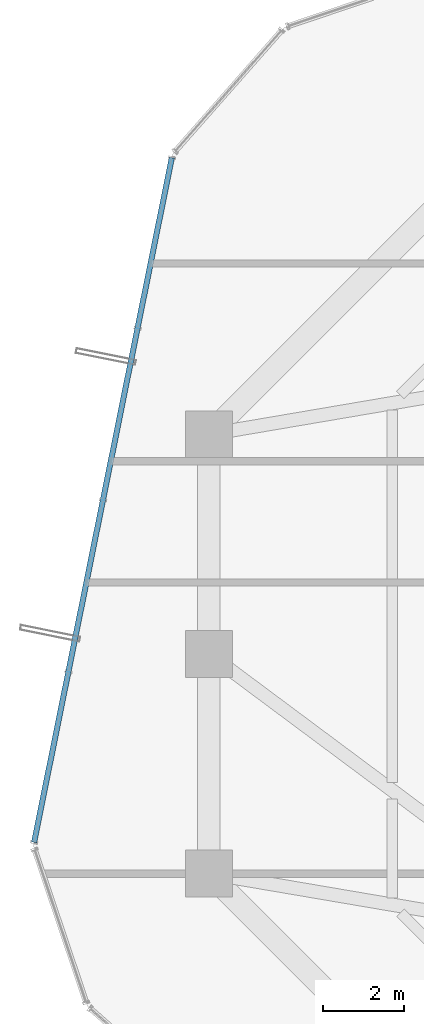
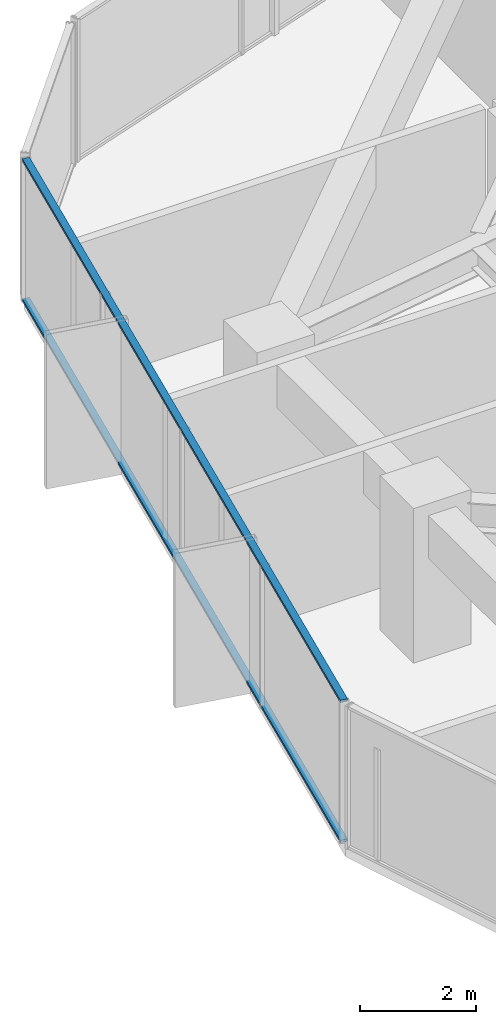
# One storey, part 14 of 32: 2 members, 1 element without a shape of its own.
"""IFC4 building model written with IfcOpenShell, lengths in metres."""

from ifc_helpers import new_model, si_unit, direction, frame, origin, origin_2d, place, context, subcontext, project, spatial, hollow_rectangle, extrude, source, transform, mapped, material, layer, layer_set, material_profile, profile_set, type_object, element, aggregate, save


model = new_model("IFC4")

# Units and contexts
model_context = context("Model", 3, precision=1e-05, world=origin(), true_north=direction((0.0, 1.0)))
body_context = subcontext(model_context, "Body", "Model", "MODEL_VIEW")
ifc_project = project(units=[si_unit("LENGTHUNIT", "METRE"), si_unit("AREAUNIT", "SQUARE_METRE"), si_unit("VOLUMEUNIT", "CUBIC_METRE"), si_unit("PLANEANGLEUNIT", "RADIAN"), si_unit("MASSUNIT", "GRAM", prefix="KILO")], contexts=[model_context])

# Site, building, storey
site_placement = place(None, origin())
site = spatial("IfcSite", under=ifc_project, at=site_placement, CompositionType="ELEMENT")
building_placement = place(site_placement, origin())
building = spatial("IfcBuilding", under=site, at=building_placement, Name="Veraguas Prism Commons", CompositionType="ELEMENT")
storey_placement = place(building_placement, frame((0.0, 0.0, 89.449951171875)))
storey = spatial("IfcBuildingStorey", under=building, at=storey_placement, Name="L24", CompositionType="ELEMENT", Elevation=89.449951171875)

# Curtain wall, members
ifc_material = material(Name="Anodised aluminium EN AW-6063 T6", Category="aluminium")
ifc_layer = layer(ifc_material, 0.169921875, Name="Unitised Flush Curtain Wall Zone 2", Category="aluminium")
ifc_layer_set = layer_set([ifc_layer], Name="Anodised aluminium EN AW-6063 T6")
curtain_wall_type = type_object("IfcCurtainWallType", Name="Unitised Flush Curtain Wall Zone 2", PredefinedType="NOTDEFINED", material=ifc_layer_set)
curtain_wall_placement = place(storey_placement, origin())
curtain_wall = element("IfcCurtainWall", 1, at=curtain_wall_placement, inside=storey, type_object=curtain_wall_type, Name="Tower Facade Curtain Wall L24-F3", PredefinedType="NOTDEFINED")
ifc_material_profile = material_profile(ifc_material, hollow_rectangle(XDim=0.054931640625, YDim=0.135009765625, WallThickness=0.0029296875, at=origin_2d()), Name="AL55X135X3")
ifc_profile_set = profile_set([ifc_material_profile], Name="Anodised aluminium EN AW-6063 T6")
member_type = type_object("IfcMemberType", Name="Curtain Wall Transom Standard AL 55x135x3", PredefinedType="USERDEFINED", material=ifc_profile_set)
shared_shape = source(origin(), body_context, "Body", "SweptSolid", [
    extrude(hollow_rectangle(XDim=0.054931640625, YDim=0.135009765625, WallThickness=0.0029296875, at=origin_2d()), origin(), (0.0, 0.0, 1.0), 17.17431640625),
])
member_1_placement = place(storey_placement, frame((6.88916015625, 36.203369140625, 0.027587890625), z_axis=(-0.197324297265, -0.980338269022, 0.0), x_axis=(0.0, 0.0, 1.0)))
member_1 = element("IfcMember", 2, at=member_1_placement, type_object=member_type, Name="CW-Z2 Transom 1", ObjectType="TRANSOM", PredefinedType="USERDEFINED", context=body_context, shape_type="MappedRepresentation", body=[
    mapped(shared_shape, transform((0.0, 0.0, 0.0), scale=1.0)),
])
member_2_placement = place(storey_placement, frame((6.88916015625, 36.203369140625, 2.97265625), z_axis=(-0.197324297265, -0.980338269022, 0.0), x_axis=(0.0, 0.0, 1.0)))
member_2 = element("IfcMember", 3, at=member_2_placement, type_object=member_type, Name="CW-Z2 Transom 2", ObjectType="TRANSOM", PredefinedType="USERDEFINED", context=body_context, shape_type="MappedRepresentation", body=[
    mapped(shared_shape, transform((0.0, 0.0, 0.0), scale=1.0)),
])
aggregate(curtain_wall, [member_1, member_2])

save(model, "model.ifc")
